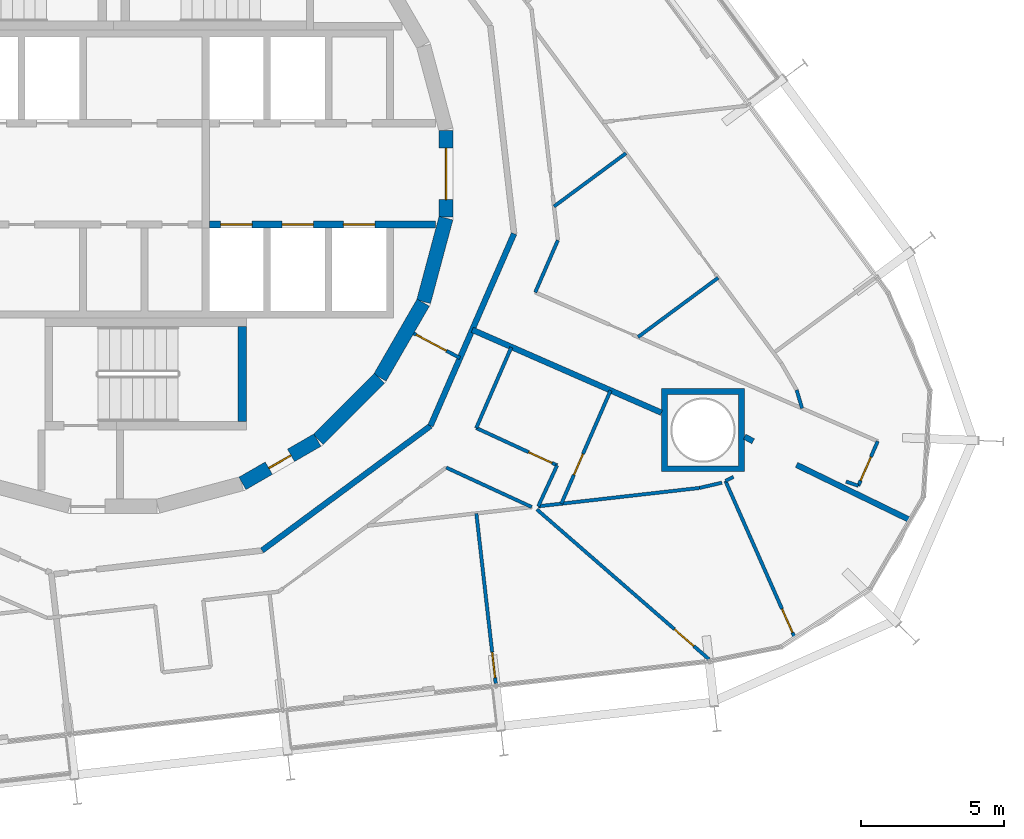
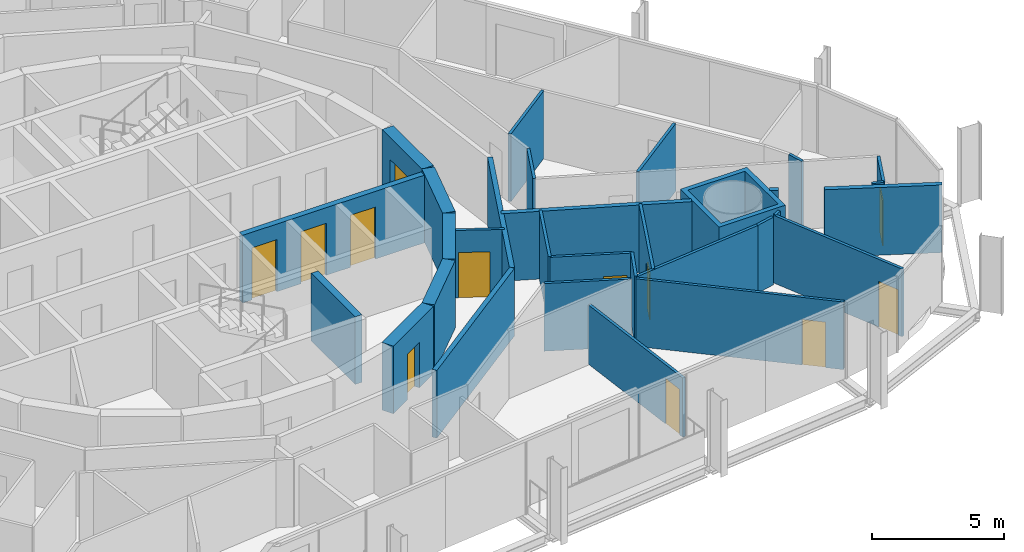
# One storey, part 19 of 23: 31 walls, 12 doors, 12 openings.
"""IFC4 building model written with IfcOpenShell, lengths in metres."""

from ifc_helpers import new_model, si_unit, direction, frame, frame_2d, origin, place, context, subcontext, project, spatial, polyline, rectangle, outline, extrude, material, layer, layer_set, type_object, element, fill, save


model = new_model("IFC4")

# Units and contexts
model_context = context("Model", 3, precision=1e-05, world=origin(), true_north=direction((0.0, 1.0)))
body_context = subcontext(model_context, "Body", "Model", "MODEL_VIEW")
ifc_project = project(units=[si_unit("LENGTHUNIT", "METRE"), si_unit("AREAUNIT", "SQUARE_METRE"), si_unit("VOLUMEUNIT", "CUBIC_METRE"), si_unit("PLANEANGLEUNIT", "RADIAN"), si_unit("MASSUNIT", "GRAM", prefix="KILO")], contexts=[model_context])

# Site, building, storey
site_placement = place(None, origin())
site = spatial("IfcSite", under=ifc_project, at=site_placement, CompositionType="ELEMENT")
building_placement = place(site_placement, origin())
building = spatial("IfcBuilding", under=site, at=building_placement, Name="Spindle Arch Residences", CompositionType="ELEMENT")
storey_placement = place(building_placement, frame((0.0, 0.0, 83.699951171875)))
storey = spatial("IfcBuildingStorey", under=building, at=storey_placement, Name="L19", CompositionType="ELEMENT", Elevation=83.699951171875)

# Wall, opening, door
ifc_material_1 = material(Name="Concrete C50/60", Category="concrete")
ifc_layer_1 = layer(ifc_material_1, 0.5)
ifc_layer_set_1 = layer_set([ifc_layer_1], Name="Core outline wall 500")
wall_type_1 = type_object("IfcWallType", Name="Core outline wall 500", PredefinedType="SHEAR", material=ifc_layer_set_1)
wall_1_placement = place(storey_placement, frame((4.510498046875, -10.84521484375, 0.0), z_axis=(0.0, 0.0, 1.0), x_axis=(0.865975092491, 0.500087131594, 0.0)))
wall_1 = element("IfcWall", 1, at=wall_1_placement, inside=storey, type_object=wall_type_1, Name="Core outline wall 2", PredefinedType="SHEAR", context=body_context, shape_type="SweptSolid", body=[
    extrude(rectangle(XDim=3.03271484375, YDim=0.5, at=frame_2d((1.516357421875, 0.0))), origin(), (0.0, 0.0, 1.0), 3.1201171875),
])
opening_1_placement = place(wall_1_placement, frame((1.06640625, 0.0, 0.0)))
opening_1 = element("IfcOpeningElement", 2, at=opening_1_placement, cuts=wall_1, Name="Opening R2A0-WD09", PredefinedType="OPENING", context=body_context, shape_type="SweptSolid", body=[
    extrude(rectangle(XDim=0.89990234375, YDim=2.10009765625, at=frame_2d((0.449951171875, 1.050048828125))), frame((0.0, 0.260009765625, 0.0), z_axis=(0.0, -1.0, 0.0), x_axis=(1.0, 0.0, 0.0)), (0.0, 0.0, 1.0), 0.52001953125),
])
ifc_material_2 = material(Name="Steel, fire-resisting door", Category="steel")
door_type_1 = type_object("IfcDoorType", Name="Service room door 900x2100", OperationType="SINGLE_SWING_LEFT", PredefinedType="DOOR", material=ifc_material_2)
door_1_placement = place(opening_1_placement, origin())
door_1 = element("IfcDoor", 3, at=door_1_placement, inside=storey, type_object=door_type_1, Name="Service room door R2A0-WD09", OperationType="SINGLE_SWING_RIGHT", OverallHeight=2.10009765625, OverallWidth=0.89990234375, PredefinedType="DOOR", context=body_context, shape_type="SweptSolid", body=[
    extrude(rectangle(XDim=0.89990234375, YDim=2.10009765625, at=frame_2d((0.449951171875, 1.050048828125))), frame((0.0, 0.02490234375, 0.0), z_axis=(0.0, -1.0, 0.0), x_axis=(1.0, 0.0, 0.0)), (0.0, 0.0, 1.0), 0.050048828125),
])
fill(opening_1, door_1)

# Walls
wall_2_placement = place(storey_placement, frame((7.163818359375, -9.30810546875, 0.0), z_axis=(0.0, 0.0, 1.0), x_axis=(0.707106781187, 0.707106781187, 0.0)))
element("IfcWall", 4, at=wall_2_placement, inside=storey, type_object=wall_type_1, Name="Core outline wall 3", PredefinedType="SHEAR", context=body_context, shape_type="SweptSolid", body=[
    extrude(rectangle(XDim=3.032470703125, YDim=0.5, at=frame_2d((1.51611328125, 0.0))), origin(), (0.0, 0.0, 1.0), 3.1201171875),
])
for number, where, z_axis, x_axis, name in (
    (5, (9.32861328125, -7.13671875, 0.0), (0.0, 0.0, 1.0), (0.500087131594, 0.865975092491, 0.0), "Core outline wall 4"),
    (6, (10.858154296875, -4.479248046875, 0.0), (0.0, 0.0, 1.0), (0.258734743916, 0.965948410781, 0.0), "Core outline wall 5"),
):
    element("IfcWall", number, at=place(storey_placement, frame(where, z_axis=z_axis, x_axis=x_axis)), inside=storey, type_object=wall_type_1, Name=name, PredefinedType="SHEAR", context=body_context, shape_type="SweptSolid", body=[
        extrude(rectangle(XDim=3.03271484375, YDim=0.5, at=frame_2d((1.516357421875, 0.0))), origin(), (0.0, 0.0, 1.0), 3.1201171875),
    ])

# Wall, opening, door
wall_3_placement = place(storey_placement, frame((11.647216796875, -1.516357421875, 0.0), z_axis=(0.0, 0.0, 1.0), x_axis=(0.0, 1.0, 0.0)))
wall_3 = element("IfcWall", 7, at=wall_3_placement, inside=storey, type_object=wall_type_1, Name="Core outline wall 6", PredefinedType="SHEAR", context=body_context, shape_type="SweptSolid", body=[
    extrude(rectangle(XDim=3.03271484375, YDim=0.5, at=frame_2d((1.516357421875, 0.0))), origin(), (0.0, 0.0, 1.0), 3.1201171875),
])
opening_2_placement = place(wall_3_placement, frame((0.6162109375, 0.0, 0.0)))
opening_2 = element("IfcOpeningElement", 8, at=opening_2_placement, cuts=wall_3, Name="Opening R2A0-FE01", PredefinedType="OPENING", context=body_context, shape_type="SweptSolid", body=[
    extrude(rectangle(XDim=1.800048828125, YDim=2.10009765625, at=frame_2d((0.89990234375, 1.050048828125))), frame((0.0, 0.260009765625, 0.0), z_axis=(0.0, -1.0, 0.0), x_axis=(1.0, 0.0, 0.0)), (0.0, 0.0, 1.0), 0.52001953125),
])
ifc_material_3 = material(Name="Steel, fire-resisting door", Category="steel")
door_type_2 = type_object("IfcDoorType", Name="Fire-lift lobby door 1800x2100", OperationType="DOUBLE_DOOR_SINGLE_SWING", PredefinedType="DOOR", material=ifc_material_3)
door_2_placement = place(opening_2_placement, origin())
door_2 = element("IfcDoor", 9, at=door_2_placement, inside=storey, type_object=door_type_2, Name="Fire-lift lobby door R2A0-FE01", OperationType="DOUBLE_DOOR_SINGLE_SWING", OverallHeight=2.10009765625, OverallWidth=1.800048828125, PredefinedType="DOOR", context=body_context, shape_type="SweptSolid", body=[
    extrude(rectangle(XDim=1.800048828125, YDim=2.10009765625, at=frame_2d((0.89990234375, 1.050048828125))), frame((0.0, 0.02490234375, 0.0), z_axis=(0.0, -1.0, 0.0), x_axis=(1.0, 0.0, 0.0)), (0.0, 0.0, 1.0), 0.050048828125),
])
fill(opening_2, door_2)

ifc_material_4 = material(Name="Plasterboard on steel studs", Category="steel")
ifc_layer_2 = layer(ifc_material_4, 0.1201171875)
ifc_layer_set_2 = layer_set([ifc_layer_2], Name="Corridor division wall 120")
wall_type_2 = type_object("IfcWallType", Name="Corridor division wall 120", PredefinedType="PARTITIONING", material=ifc_layer_set_2)
wall_4_placement = place(storey_placement, frame((10.510986328125, -5.5888671875, 0.0), z_axis=(0.0, 0.0, 1.0), x_axis=(0.882962602189, -0.469443333253, 0.0)))
wall_4 = element("IfcWall", 10, at=wall_4_placement, inside=storey, type_object=wall_type_2, Name="Corridor division wall R2A0-W002", PredefinedType="PARTITIONING", context=body_context, shape_type="SweptSolid", body=[
    extrude(rectangle(XDim=1.837890625, YDim=0.1201171875, at=frame_2d((0.9189453125, 0.0))), origin(), (0.0, 0.0, 1.0), 3.1201171875),
])
opening_3_placement = place(wall_4_placement, frame((0.10009765625, 0.0, 0.0)))
opening_3 = element("IfcOpeningElement", 11, at=opening_3_placement, cuts=wall_4, Name="Opening R2A0-CD02", PredefinedType="OPENING", context=body_context, shape_type="SweptSolid", body=[
    extrude(rectangle(XDim=1.199951171875, YDim=2.10009765625, at=frame_2d((0.60009765625, 1.050048828125))), frame((0.0, 0.070068359375, 0.0), z_axis=(0.0, -1.0, 0.0), x_axis=(1.0, 0.0, 0.0)), (0.0, 0.0, 1.0), 0.14013671875),
])
ifc_material_5 = material(Name="Steel, fire-resisting door", Category="steel")
door_type_3 = type_object("IfcDoorType", Name="Corridor division door 1200x2100", OperationType="NOTDEFINED", PredefinedType="DOOR", material=ifc_material_5)
door_3_placement = place(opening_3_placement, origin())
door_3 = element("IfcDoor", 12, at=door_3_placement, inside=storey, type_object=door_type_3, Name="Corridor division door R2A0-CD02", OperationType="DOUBLE_DOOR_SINGLE_SWING", OverallHeight=2.10009765625, OverallWidth=1.199951171875, PredefinedType="DOOR", context=body_context, shape_type="SweptSolid", body=[
    extrude(rectangle(XDim=1.199951171875, YDim=2.10009765625, at=frame_2d((0.60009765625, 1.050048828125))), frame((0.0, 0.02490234375, 0.0), z_axis=(0.0, -1.0, 0.0), x_axis=(1.0, 0.0, 0.0)), (0.0, 0.0, 1.0), 0.050048828125),
])
fill(opening_3, door_3)

# Walls
ifc_material_6 = material(Name="Calcium silicate block, plastered")
ifc_layer_3 = layer(ifc_material_6, 0.199951171875)
ifc_layer_set_3 = layer_set([ifc_layer_3], Name="Corridor wall 200")
wall_type_3 = type_object("IfcWallType", Name="Corridor wall 200", PredefinedType="STANDARD", material=ifc_layer_set_3)
for number, where, z_axis, x_axis, name in (
    (13, (11.10009765625, -8.829345703125, 0.0), (0.0, 0.0, 1.0), (0.398741918631, 0.917063183388, 0.0), "Corridor wall R2A0-W004"),
    (14, (5.1982421875, -13.1962890625, 0.0), (0.0, 0.0, 1.0), (0.803869883159, 0.594805187394, 0.0), "Corridor wall R2A0-W015"),
):
    element("IfcWall", number, at=place(storey_placement, frame(where, z_axis=z_axis, x_axis=x_axis)), inside=storey, type_object=wall_type_3, Name=name, PredefinedType="STANDARD", context=body_context, shape_type="SweptSolid", body=[
        extrude(rectangle(XDim=7.341796875, YDim=0.199951171875, at=frame_2d((3.6708984375, 0.0))), origin(), (0.0, 0.0, 1.0), 3.1201171875),
    ])

# Wall, openings, doors
ifc_material_7 = material(Name="Concrete C50/60", Category="concrete")
ifc_layer_4 = layer(ifc_material_7, 0.25)
ifc_layer_set_4 = layer_set([ifc_layer_4], Name="Fire-lift shaft wall 250")
wall_type_4 = type_object("IfcWallType", Name="Fire-lift shaft wall 250", PredefinedType="SHEAR", material=ifc_layer_set_4)
wall_5_placement = place(storey_placement, frame((3.35009765625, -1.77490234375, 0.0), z_axis=(0.0, 0.0, 1.0), x_axis=(1.0, 0.0, 0.0)))
wall_5 = element("IfcWall", 15, at=wall_5_placement, inside=storey, type_object=wall_type_4, Name="Lift shaft front wall SE", PredefinedType="SHEAR", context=body_context, shape_type="SweptSolid", body=[
    extrude(rectangle(XDim=7.929931640625, YDim=0.25, at=frame_2d((3.96484375, 0.0))), origin(), (0.0, 0.0, 1.0), 3.1201171875),
])
opening_4_placement = place(wall_5_placement, frame((0.39990234375, 0.0, 0.0)))
opening_4 = element("IfcOpeningElement", 16, at=opening_4_placement, cuts=wall_5, Name="Opening R2A0-FLD01", PredefinedType="OPENING", context=body_context, shape_type="SweptSolid", body=[
    extrude(rectangle(XDim=1.10009765625, YDim=2.39990234375, at=frame_2d((0.550048828125, 1.199951171875))), frame((0.0, 0.135009765625, 0.0), z_axis=(0.0, -1.0, 0.0), x_axis=(1.0, 0.0, 0.0)), (0.0, 0.0, 1.0), 0.27001953125),
])
opening_5_placement = place(wall_5_placement, frame((2.550048828125, 0.0, 0.0)))
opening_5 = element("IfcOpeningElement", 17, at=opening_5_placement, cuts=wall_5, Name="Opening R2A0-FLD02", PredefinedType="OPENING", context=body_context, shape_type="SweptSolid", body=[
    extrude(rectangle(XDim=1.10009765625, YDim=2.39990234375, at=frame_2d((0.550048828125, 1.199951171875))), frame((0.0, 0.135009765625, 0.0), z_axis=(0.0, -1.0, 0.0), x_axis=(1.0, 0.0, 0.0)), (0.0, 0.0, 1.0), 0.27001953125),
])
opening_6_placement = place(wall_5_placement, frame((4.699951171875, 0.0, 0.0)))
opening_6 = element("IfcOpeningElement", 18, at=opening_6_placement, cuts=wall_5, Name="Opening R2A0-FLD03", PredefinedType="OPENING", context=body_context, shape_type="SweptSolid", body=[
    extrude(rectangle(XDim=1.10009765625, YDim=2.39990234375, at=frame_2d((0.550048828125, 1.199951171875))), frame((0.0, 0.135009765625, 0.0), z_axis=(0.0, -1.0, 0.0), x_axis=(1.0, 0.0, 0.0)), (0.0, 0.0, 1.0), 0.27001953125),
])
ifc_material_8 = material(Name="Steel, fire-resisting landing door", Category="steel")
door_type_4 = type_object("IfcDoorType", Name="Fire-fighting lift landing door 1100x2400", OperationType="DOUBLE_DOOR_SLIDING", PredefinedType="DOOR", material=ifc_material_8)
door_4_placement = place(opening_4_placement, origin())
door_4 = element("IfcDoor", 19, at=door_4_placement, inside=storey, type_object=door_type_4, Name="Fire-fighting lift landing door R2A0-FLD01", OperationType="DOUBLE_DOOR_SLIDING", OverallHeight=2.39990234375, OverallWidth=1.10009765625, PredefinedType="DOOR", context=body_context, shape_type="SweptSolid", body=[
    extrude(rectangle(XDim=1.10009765625, YDim=2.39990234375, at=frame_2d((0.550048828125, 1.199951171875))), frame((0.0, 0.02490234375, 0.0), z_axis=(0.0, -1.0, 0.0), x_axis=(1.0, 0.0, 0.0)), (0.0, 0.0, 1.0), 0.050048828125),
])
fill(opening_4, door_4)
door_5_placement = place(opening_5_placement, origin())
door_5 = element("IfcDoor", 20, at=door_5_placement, inside=storey, type_object=door_type_4, Name="Fire-fighting lift landing door R2A0-FLD02", OperationType="DOUBLE_DOOR_SLIDING", OverallHeight=2.39990234375, OverallWidth=1.10009765625, PredefinedType="DOOR", context=body_context, shape_type="SweptSolid", body=[
    extrude(rectangle(XDim=1.10009765625, YDim=2.39990234375, at=frame_2d((0.550048828125, 1.199951171875))), frame((0.0, 0.02490234375, 0.0), z_axis=(0.0, -1.0, 0.0), x_axis=(1.0, 0.0, 0.0)), (0.0, 0.0, 1.0), 0.050048828125),
])
fill(opening_5, door_5)
door_6_placement = place(opening_6_placement, origin())
door_6 = element("IfcDoor", 21, at=door_6_placement, inside=storey, type_object=door_type_4, Name="Fire-fighting lift landing door R2A0-FLD03", OperationType="DOUBLE_DOOR_SLIDING", OverallHeight=2.39990234375, OverallWidth=1.10009765625, PredefinedType="DOOR", context=body_context, shape_type="SweptSolid", body=[
    extrude(rectangle(XDim=1.10009765625, YDim=2.39990234375, at=frame_2d((0.550048828125, 1.199951171875))), frame((0.0, 0.02490234375, 0.0), z_axis=(0.0, -1.0, 0.0), x_axis=(1.0, 0.0, 0.0)), (0.0, 0.0, 1.0), 0.050048828125),
])
fill(opening_6, door_6)

# Wall
ifc_material_9 = material(Name="Plasterboard on steel studs", Category="steel")
ifc_layer_5 = layer(ifc_material_9, 0.1201171875)
ifc_layer_set_5 = layer_set([ifc_layer_5], Name="Flat partition 120")
wall_type_5 = type_object("IfcWallType", Name="Flat partition 120", PredefinedType="PARTITIONING", material=ifc_layer_set_5)
wall_6_placement = place(storey_placement, frame((25.65869140625, -10.783203125, 0.0), z_axis=(0.0, 0.0, 1.0), x_axis=(0.948362418423, -0.317188781837, 0.0)))
element("IfcWall", 22, at=wall_6_placement, inside=storey, type_object=wall_type_5, Name="Flat partition R2A0-W034", PredefinedType="PARTITIONING", context=body_context, shape_type="SweptSolid", body=[
    extrude(rectangle(XDim=0.457275390625, YDim=0.1201171875, at=frame_2d((0.228515625, 0.0))), origin(), (0.0, 0.0, 1.0), 3.1201171875),
])

# Wall, opening, door
wall_7_placement = place(storey_placement, frame((26.09228515625, -10.92822265625, 0.0), z_axis=(0.0, 0.0, 1.0), x_axis=(0.398783871208, 0.917044941137, 0.0)))
wall_7 = element("IfcWall", 23, at=wall_7_placement, inside=storey, type_object=wall_type_5, Name="Flat partition R2A0-W035", PredefinedType="PARTITIONING", context=body_context, shape_type="SweptSolid", body=[
    extrude(rectangle(XDim=1.7001953125, YDim=0.1201171875, at=frame_2d((0.85009765625, 0.0))), origin(), (0.0, 0.0, 1.0), 3.1201171875),
])
opening_7_placement = place(wall_7_placement, frame((0.199951171875, 0.0, 0.0)))
opening_7 = element("IfcOpeningElement", 24, at=opening_7_placement, cuts=wall_7, Name="Opening R2A0-ID02", PredefinedType="OPENING", context=body_context, shape_type="SweptSolid", body=[
    extrude(rectangle(XDim=0.89990234375, YDim=2.10009765625, at=frame_2d((0.449951171875, 1.050048828125))), frame((0.0, 0.070068359375, 0.0), z_axis=(0.0, -1.0, 0.0), x_axis=(1.0, 0.0, 0.0)), (0.0, 0.0, 1.0), 0.14013671875),
])
ifc_material_10 = material(Name="Timber door set", Category="wood")
door_type_5 = type_object("IfcDoorType", Name="Room door 900x2100", OperationType="NOTDEFINED", PredefinedType="DOOR", material=ifc_material_10)
door_7_placement = place(opening_7_placement, origin())
door_7 = element("IfcDoor", 25, at=door_7_placement, inside=storey, type_object=door_type_5, Name="Room door R2A0-ID02", OperationType="SINGLE_SWING_LEFT", OverallHeight=2.10009765625, OverallWidth=0.89990234375, PredefinedType="DOOR", context=body_context, shape_type="SweptSolid", body=[
    extrude(rectangle(XDim=0.89990234375, YDim=2.10009765625, at=frame_2d((0.449951171875, 1.050048828125))), frame((0.0, 0.02490234375, 0.0), z_axis=(0.0, -1.0, 0.0), x_axis=(1.0, 0.0, 0.0)), (0.0, 0.0, 1.0), 0.050048828125),
])
fill(opening_7, door_7)

# Walls
wall_8_placement = place(storey_placement, frame((14.769775390625, -4.151123046875, 0.0), z_axis=(0.0, 0.0, 1.0), x_axis=(0.39868125503, 0.917089557725, 0.0)))
element("IfcWall", 26, at=wall_8_placement, inside=storey, type_object=wall_type_5, Name="Flat partition R2A0-W037", PredefinedType="PARTITIONING", context=body_context, shape_type="SweptSolid", body=[
    extrude(rectangle(XDim=1.990234375, YDim=0.1201171875, at=frame_2d((0.9951171875, 0.0))), origin(), (0.0, 0.0, 1.0), 3.1201171875),
])
wall_9_placement = place(storey_placement, frame((15.428466796875, -1.1416015625, 0.0), z_axis=(0.0, 0.0, 1.0), x_axis=(0.803871695022, 0.594802738681, 0.0)))
element("IfcWall", 27, at=wall_9_placement, inside=storey, type_object=wall_type_5, Name="Flat partition R2A0-W039", PredefinedType="PARTITIONING", context=body_context, shape_type="SweptSolid", body=[
    extrude(rectangle(XDim=3.13427734375, YDim=0.1201171875, at=frame_2d((1.567138671875, 0.0))), origin(), (0.0, 0.0, 1.0), 3.1201171875),
])
wall_10_placement = place(storey_placement, frame((23.9296875, -7.573486328125, 0.0), z_axis=(0.0, 0.0, 1.0), x_axis=(0.28441027407, -0.958702662979, 0.0)))
element("IfcWall", 28, at=wall_10_placement, inside=storey, type_object=wall_type_5, Name="Flat partition R2A0-W044", PredefinedType="PARTITIONING", context=body_context, shape_type="SweptSolid", body=[
    extrude(rectangle(XDim=0.67138671875, YDim=0.1201171875, at=frame_2d((0.335693359375, 0.0))), origin(), (0.0, 0.0, 1.0), 3.1201171875),
])
wall_11_placement = place(storey_placement, frame((21.17724609375, -3.641357421875, 0.0), z_axis=(0.0, 0.0, 1.0), x_axis=(-0.803878021343, -0.594794188608, 0.0)))
element("IfcWall", 29, at=wall_11_placement, inside=storey, type_object=wall_type_5, Name="Flat partition R2A0-W046", PredefinedType="PARTITIONING", context=body_context, shape_type="SweptSolid", body=[
    extrude(rectangle(XDim=3.490234375, YDim=0.1201171875, at=frame_2d((1.7451171875, 0.0))), origin(), (0.0, 0.0, 1.0), 3.1201171875),
])
wall_12_placement = place(storey_placement, frame((11.648681640625, -10.289306640625, 0.0), z_axis=(0.0, 0.0, 1.0), x_axis=(0.9079269461, -0.419128453514, 0.0)))
element("IfcWall", 30, at=wall_12_placement, inside=storey, type_object=wall_type_5, Name="Flat partition R2A0-W119", PredefinedType="PARTITIONING", context=body_context, shape_type="SweptSolid", body=[
    extrude(rectangle(XDim=3.304443359375, YDim=0.1201171875, at=frame_2d((1.65234375, 0.0))), origin(), (0.0, 0.0, 1.0), 3.1201171875),
])
wall_13_placement = place(storey_placement, frame((14.87548828125, -11.6484375, 0.0), z_axis=(0.0, 0.0, 1.0), x_axis=(0.419087543301, 0.90794583046, 0.0)))
element("IfcWall", 31, at=wall_13_placement, inside=storey, type_object=wall_type_5, Name="Flat partition R2A0-W120", PredefinedType="PARTITIONING", context=body_context, shape_type="SweptSolid", body=[
    extrude(rectangle(XDim=1.58154296875, YDim=0.1201171875, at=frame_2d((0.790771484375, 0.0))), origin(), (0.0, 0.0, 1.0), 3.1201171875),
])

# Wall, opening, door
wall_14_placement = place(storey_placement, frame((15.538330078125, -10.21240234375, 0.0), z_axis=(0.0, 0.0, 1.0), x_axis=(-0.907941075756, 0.419097844131, 0.0)))
wall_14 = element("IfcWall", 32, at=wall_14_placement, inside=storey, type_object=wall_type_5, Name="Flat partition R2A0-W121", PredefinedType="PARTITIONING", context=body_context, shape_type="SweptSolid", body=[
    extrude(rectangle(XDim=3.122314453125, YDim=0.1201171875, at=frame_2d((1.56103515625, 0.0))), origin(), (0.0, 0.0, 1.0), 3.1201171875),
])
opening_8_placement = place(wall_14_placement, frame((0.199951171875, 0.0, 0.0)))
opening_8 = element("IfcOpeningElement", 33, at=opening_8_placement, cuts=wall_14, Name="Opening R2A0-ID31", PredefinedType="OPENING", context=body_context, shape_type="SweptSolid", body=[
    extrude(rectangle(XDim=0.89990234375, YDim=2.10009765625, at=frame_2d((0.449951171875, 1.050048828125))), frame((0.0, 0.070068359375, 0.0), z_axis=(0.0, -1.0, 0.0), x_axis=(1.0, 0.0, 0.0)), (0.0, 0.0, 1.0), 0.14013671875),
])
door_8_placement = place(opening_8_placement, origin())
door_8 = element("IfcDoor", 34, at=door_8_placement, inside=storey, type_object=door_type_5, Name="Room door R2A0-ID31", OperationType="SINGLE_SWING_LEFT", OverallHeight=2.10009765625, OverallWidth=0.89990234375, PredefinedType="DOOR", context=body_context, shape_type="SweptSolid", body=[
    extrude(rectangle(XDim=0.89990234375, YDim=2.10009765625, at=frame_2d((0.449951171875, 1.050048828125))), frame((0.0, 0.02490234375, 0.0), z_axis=(0.0, -1.0, 0.0), x_axis=(1.0, 0.0, 0.0)), (0.0, 0.0, 1.0), 0.050048828125),
])
fill(opening_8, door_8)

# Wall
wall_15_placement = place(storey_placement, frame((12.703369140625, -8.90380859375, 0.0), z_axis=(0.0, 0.0, 1.0), x_axis=(0.398679720725, 0.917090224723, 0.0)))
element("IfcWall", 35, at=wall_15_placement, inside=storey, type_object=wall_type_5, Name="Flat partition R2A0-W122", PredefinedType="PARTITIONING", context=body_context, shape_type="SweptSolid", body=[
    extrude(rectangle(XDim=3.0791015625, YDim=0.1201171875, at=frame_2d((1.53955078125, 0.0))), origin(), (0.0, 0.0, 1.0), 3.1201171875),
])

# Wall, opening, door
wall_16_placement = place(storey_placement, frame((20.856201171875, -17.005859375, 0.0), z_axis=(0.0, 0.0, 1.0), x_axis=(-0.75423134567, 0.656608770281, 0.0)))
wall_16 = element("IfcWall", 36, at=wall_16_placement, inside=storey, type_object=wall_type_5, Name="Flat partition R2A0-W126", PredefinedType="PARTITIONING", context=body_context, shape_type="SweptSolid", body=[
    extrude(rectangle(XDim=7.995361328125, YDim=0.1201171875, at=frame_2d((3.99755859375, 0.0))), origin(), (0.0, 0.0, 1.0), 3.1201171875),
])
opening_9_placement = place(wall_16_placement, frame((0.699951171875, 0.0, 0.0)))
opening_9 = element("IfcOpeningElement", 37, at=opening_9_placement, cuts=wall_16, Name="Opening R2A0-ID33", PredefinedType="OPENING", context=body_context, shape_type="SweptSolid", body=[
    extrude(rectangle(XDim=0.89990234375, YDim=2.10009765625, at=frame_2d((0.449951171875, 1.050048828125))), frame((0.0, 0.070068359375, 0.0), z_axis=(0.0, -1.0, 0.0), x_axis=(1.0, 0.0, 0.0)), (0.0, 0.0, 1.0), 0.14013671875),
])
door_9_placement = place(opening_9_placement, origin())
door_9 = element("IfcDoor", 38, at=door_9_placement, inside=storey, type_object=door_type_5, Name="Room door R2A0-ID33", OperationType="SINGLE_SWING_RIGHT", OverallHeight=2.10009765625, OverallWidth=0.89990234375, PredefinedType="DOOR", context=body_context, shape_type="SweptSolid", body=[
    extrude(rectangle(XDim=0.89990234375, YDim=2.10009765625, at=frame_2d((0.449951171875, 1.050048828125))), frame((0.0, 0.02490234375, 0.0), z_axis=(0.0, -1.0, 0.0), x_axis=(1.0, 0.0, 0.0)), (0.0, 0.0, 1.0), 0.050048828125),
])
fill(opening_9, door_9)

# Walls
wall_17_placement = place(storey_placement, frame((20.52685546875, -11.00439453125, 0.0), z_axis=(0.0, 0.0, 1.0), x_axis=(-0.993568869194, -0.113229422712, 0.0)))
element("IfcWall", 39, at=wall_17_placement, inside=storey, type_object=wall_type_5, Name="Flat partition R2A0-W127", PredefinedType="PARTITIONING", context=body_context, shape_type="SweptSolid", body=[
    extrude(rectangle(XDim=5.68798828125, YDim=0.1201171875, at=frame_2d((2.843994140625, 0.0))), origin(), (0.0, 0.0, 1.0), 3.1201171875),
])
wall_18_placement = place(storey_placement, frame((21.3125, -10.82080078125, 0.0), z_axis=(0.0, 0.0, 1.0), x_axis=(-0.973765266404, -0.227554841621, 0.0)))
element("IfcWall", 40, at=wall_18_placement, inside=storey, type_object=wall_type_5, Name="Flat partition R2A0-W128", PredefinedType="PARTITIONING", context=body_context, shape_type="SweptSolid", body=[
    extrude(rectangle(XDim=0.806884765625, YDim=0.1201171875, at=frame_2d((0.4033203125, 0.0))), origin(), (0.0, 0.0, 1.0), 3.1201171875),
])

# Wall, opening, door
wall_19_placement = place(storey_placement, frame((23.863525390625, -16.253173828125, 0.0), z_axis=(0.0, 0.0, 1.0), x_axis=(-0.404274566917, 0.914637673915, 0.0)))
wall_19 = element("IfcWall", 41, at=wall_19_placement, inside=storey, type_object=wall_type_5, Name="Flat partition R2A0-W129", PredefinedType="PARTITIONING", context=body_context, shape_type="SweptSolid", body=[
    extrude(rectangle(XDim=6.00634765625, YDim=0.1201171875, at=frame_2d((3.003173828125, 0.0))), origin(), (0.0, 0.0, 1.0), 3.1201171875),
])
opening_10_placement = place(wall_19_placement, frame((0.199951171875, 0.0, 0.0)))
opening_10 = element("IfcOpeningElement", 42, at=opening_10_placement, cuts=wall_19, Name="Opening R2A0-ID34", PredefinedType="OPENING", context=body_context, shape_type="SweptSolid", body=[
    extrude(rectangle(XDim=0.89990234375, YDim=2.10009765625, at=frame_2d((0.449951171875, 1.050048828125))), frame((0.0, 0.070068359375, 0.0), z_axis=(0.0, -1.0, 0.0), x_axis=(1.0, 0.0, 0.0)), (0.0, 0.0, 1.0), 0.14013671875),
])
door_10_placement = place(opening_10_placement, origin())
door_10 = element("IfcDoor", 43, at=door_10_placement, inside=storey, type_object=door_type_5, Name="Room door R2A0-ID34", OperationType="SINGLE_SWING_RIGHT", OverallHeight=2.10009765625, OverallWidth=0.89990234375, PredefinedType="DOOR", context=body_context, shape_type="SweptSolid", body=[
    extrude(rectangle(XDim=0.89990234375, YDim=2.10009765625, at=frame_2d((0.449951171875, 1.050048828125))), frame((0.0, 0.02490234375, 0.0), z_axis=(0.0, -1.0, 0.0), x_axis=(1.0, 0.0, 0.0)), (0.0, 0.0, 1.0), 0.050048828125),
])
fill(opening_10, door_10)

wall_20_placement = place(storey_placement, frame((15.685546875, -11.55615234375, 0.0), z_axis=(0.0, 0.0, 1.0), x_axis=(0.398740569839, 0.917063769846, 0.0)))
wall_20 = element("IfcWall", 44, at=wall_20_placement, inside=storey, type_object=wall_type_5, Name="Flat partition R2A0-W130", PredefinedType="PARTITIONING", context=body_context, shape_type="SweptSolid", body=[
    extrude(rectangle(XDim=4.322021484375, YDim=0.1201171875, at=frame_2d((2.1611328125, 0.0))), origin(), (0.0, 0.0, 1.0), 3.1201171875),
])
opening_11_placement = place(wall_20_placement, frame((1.10009765625, 0.0, 0.0)))
opening_11 = element("IfcOpeningElement", 45, at=opening_11_placement, cuts=wall_20, Name="Opening R2A0-BD08", PredefinedType="OPENING", context=body_context, shape_type="SweptSolid", body=[
    extrude(rectangle(XDim=0.800048828125, YDim=2.10009765625, at=frame_2d((0.39990234375, 1.050048828125))), frame((0.0, 0.070068359375, 0.0), z_axis=(0.0, -1.0, 0.0), x_axis=(1.0, 0.0, 0.0)), (0.0, 0.0, 1.0), 0.14013671875),
])
ifc_material_11 = material(Name="Timber door set", Category="wood")
door_type_6 = type_object("IfcDoorType", Name="Bathroom door 800x2100", OperationType="NOTDEFINED", PredefinedType="DOOR", material=ifc_material_11)
door_11_placement = place(opening_11_placement, origin())
door_11 = element("IfcDoor", 46, at=door_11_placement, inside=storey, type_object=door_type_6, Name="Bathroom door R2A0-BD08", OperationType="SINGLE_SWING_RIGHT", OverallHeight=2.10009765625, OverallWidth=0.800048828125, PredefinedType="DOOR", context=body_context, shape_type="SweptSolid", body=[
    extrude(rectangle(XDim=0.800048828125, YDim=2.10009765625, at=frame_2d((0.39990234375, 1.050048828125))), frame((0.0, 0.02490234375, 0.0), z_axis=(0.0, -1.0, 0.0), x_axis=(1.0, 0.0, 0.0)), (0.0, 0.0, 1.0), 0.050048828125),
])
fill(opening_11, door_11)

# Wall
wall_21_placement = place(storey_placement, frame((21.435302734375, -10.759521484375, 0.0), z_axis=(0.0, 0.0, 1.0), x_axis=(0.895041493646, 0.445982874841, 0.0)))
element("IfcWall", 47, at=wall_21_placement, inside=storey, type_object=wall_type_5, Name="Flat partition R2A0-W131", PredefinedType="PARTITIONING", context=body_context, shape_type="SweptSolid", body=[
    extrude(rectangle(XDim=0.3173828125, YDim=0.1201171875, at=frame_2d((0.15869140625, 0.0))), origin(), (0.0, 0.0, 1.0), 3.1201171875),
])

# Wall, opening, door
ifc_material_12 = material(Name="Plasterboard on steel studs", Category="steel")
ifc_layer_6 = layer(ifc_material_12, 0.1201171875)
ifc_layer_set_6 = layer_set([ifc_layer_6], Name="Flat partition 120 under beam 2730")
wall_type_6 = type_object("IfcWallType", Name="Flat partition 120 under beam 2730", PredefinedType="PARTITIONING", material=ifc_layer_set_6)
wall_22_placement = place(storey_placement, frame((13.3857421875, -17.85693359375, 0.0), z_axis=(0.0, 0.0, 1.0), x_axis=(-0.113200012983, 0.993572220355, 0.0)))
wall_22 = element("IfcWall", 48, at=wall_22_placement, inside=storey, type_object=wall_type_6, Name="Flat partition R2A0-W125", PredefinedType="PARTITIONING", context=body_context, shape_type="SweptSolid", body=[
    extrude(rectangle(XDim=6.0, YDim=0.1201171875, at=frame_2d((3.0, 0.0))), origin(), (0.0, 0.0, 1.0), 2.72998046875),
])
opening_12_placement = place(wall_22_placement, frame((0.199951171875, 0.0, 0.0)))
opening_12 = element("IfcOpeningElement", 49, at=opening_12_placement, cuts=wall_22, Name="Opening R2A0-ID32", PredefinedType="OPENING", context=body_context, shape_type="SweptSolid", body=[
    extrude(rectangle(XDim=0.89990234375, YDim=2.10009765625, at=frame_2d((0.449951171875, 1.050048828125))), frame((0.0, 0.070068359375, 0.0), z_axis=(0.0, -1.0, 0.0), x_axis=(1.0, 0.0, 0.0)), (0.0, 0.0, 1.0), 0.14013671875),
])
door_12_placement = place(opening_12_placement, origin())
door_12 = element("IfcDoor", 50, at=door_12_placement, inside=storey, type_object=door_type_5, Name="Room door R2A0-ID32", OperationType="SINGLE_SWING_RIGHT", OverallHeight=2.10009765625, OverallWidth=0.89990234375, PredefinedType="DOOR", context=body_context, shape_type="SweptSolid", body=[
    extrude(rectangle(XDim=0.89990234375, YDim=2.10009765625, at=frame_2d((0.449951171875, 1.050048828125))), frame((0.0, 0.02490234375, 0.0), z_axis=(0.0, -1.0, 0.0), x_axis=(1.0, 0.0, 0.0)), (0.0, 0.0, 1.0), 0.050048828125),
])
fill(opening_12, door_12)

# Walls
ifc_material_13 = material(Name="Calcium silicate block, plastered")
ifc_layer_7 = layer(ifc_material_13, 0.199951171875)
ifc_layer_set_7 = layer_set([ifc_layer_7], Name="Flat party wall 200")
wall_type_7 = type_object("IfcWallType", Name="Flat party wall 200", PredefinedType="STANDARD", material=ifc_layer_set_7)
wall_23_placement = place(storey_placement, frame((12.563720703125, -5.462890625, 0.0), z_axis=(0.0, 0.0, 1.0), x_axis=(0.915914014963, -0.401374534812, 0.0)))
element("IfcWall", 51, at=wall_23_placement, inside=storey, type_object=wall_type_7, Name="Flat party wall R2A0-W017", PredefinedType="STANDARD", context=body_context, shape_type="SweptSolid", body=[
    extrude(rectangle(XDim=7.23583984375, YDim=0.199951171875, at=frame_2d((3.617919921875, 0.0))), origin(), (0.0, 0.0, 1.0), 3.1201171875),
])
wall_24_placement = place(storey_placement, frame((22.107666015625, -9.20654296875, 0.0), z_axis=(0.0, 0.0, 1.0), x_axis=(0.878251516807, -0.478198989151, 0.0)))
element("IfcWall", 52, at=wall_24_placement, inside=storey, type_object=wall_type_7, Name="Flat party wall R2A0-W018", PredefinedType="STANDARD", context=body_context, shape_type="SweptSolid", body=[
    extrude(rectangle(XDim=0.340576171875, YDim=0.199951171875, at=frame_2d((0.17041015625, 0.0))), origin(), (0.0, 0.0, 1.0), 3.1201171875),
])
wall_25_placement = place(storey_placement, frame((23.929443359375, -10.197998046875, 0.0), z_axis=(0.0, 0.0, 1.0), x_axis=(0.899252572086, -0.437429779046, 0.0)))
element("IfcWall", 53, at=wall_25_placement, inside=storey, type_object=wall_type_7, Name="Flat party wall R2A0-W019", PredefinedType="STANDARD", context=body_context, shape_type="SweptSolid", body=[
    extrude(rectangle(XDim=4.453857421875, YDim=0.199951171875, at=frame_2d((2.22705078125, 0.0))), origin(), (0.0, 0.0, 1.0), 3.1201171875),
])
ifc_material_14 = material(Name="Calcium silicate block, plastered")
ifc_layer_8 = layer(ifc_material_14, 0.199951171875)
ifc_layer_set_8 = layer_set([ifc_layer_8], Name="Mega-column casing wall 200")
wall_type_8 = type_object("IfcWallType", Name="Mega-column casing wall 200", PredefinedType="STANDARD", material=ifc_layer_set_8)
wall_26_placement = place(storey_placement, origin())
element("IfcWall", 54, at=wall_26_placement, inside=storey, type_object=wall_type_8, Name="Mega-column casing wall R2A0-WC03", PredefinedType="STANDARD", context=body_context, shape_type="SweptSolid", body=[
    extrude(outline(polyline([(22.09765625, -7.52783203125), (22.09765625, -10.427734375), (19.197509765625, -10.427734375), (19.197509765625, -7.52783203125), (22.09765625, -7.52783203125)]), holes=[polyline([(19.397705078125, -10.227783203125), (21.897705078125, -10.227783203125), (21.897705078125, -7.727783203125), (19.397705078125, -7.727783203125), (19.397705078125, -10.227783203125)])]), origin(), (0.0, 0.0, 1.0), 3.1201171875),
])
ifc_material_15 = material(Name="Concrete C50/60", Category="concrete")
ifc_layer_9 = layer(ifc_material_15, 0.300048828125)
ifc_layer_set_9 = layer_set([ifc_layer_9], Name="Stair enclosure wall 300")
wall_type_9 = type_object("IfcWallType", Name="Stair enclosure wall 300", PredefinedType="SHEAR", material=ifc_layer_set_9)
wall_27_placement = place(storey_placement, frame((4.5, -8.669921875, 0.0), z_axis=(0.0, 0.0, 1.0), x_axis=(0.0, 1.0, 0.0)))
element("IfcWall", 55, at=wall_27_placement, inside=storey, type_object=wall_type_9, Name="Stair ST-3 enclosure wall E", PredefinedType="SHEAR", context=body_context, shape_type="SweptSolid", body=[
    extrude(rectangle(XDim=3.31982421875, YDim=0.300048828125, at=frame_2d((1.659912109375, 0.0))), origin(), (0.0, 0.0, 1.0), 3.1201171875),
])

save(model, "model.ifc")
